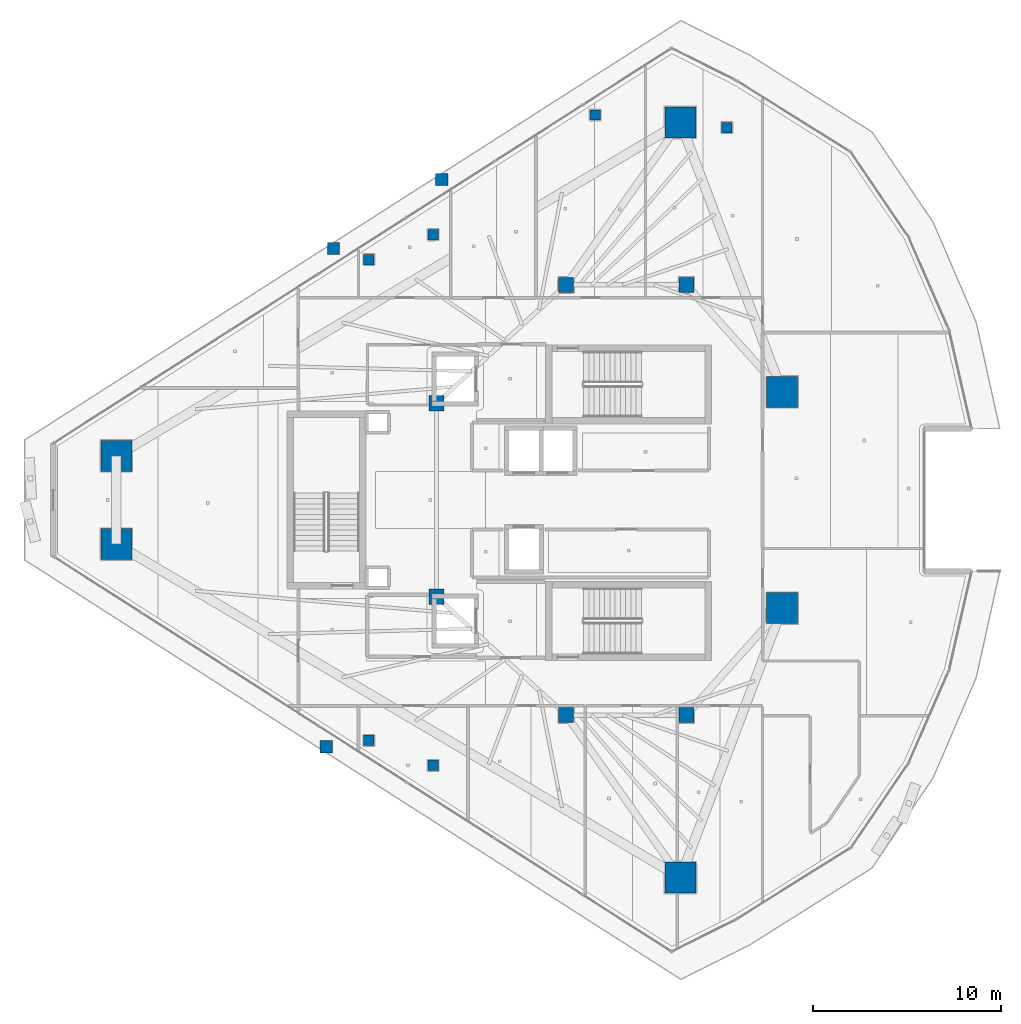
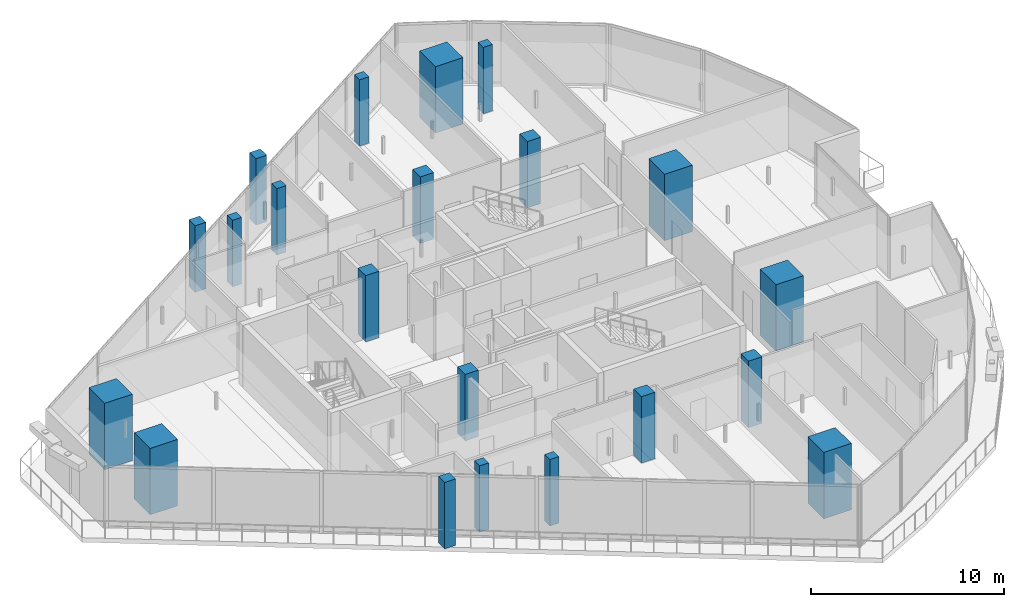
# One storey, part 1 of 36: 21 columns.
"""IFC4 building model written with IfcOpenShell, lengths in metres."""

from ifc_helpers import new_model, si_unit, direction, frame, origin, origin_2d, place, context, subcontext, project, spatial, rectangle, extrude, material, material_profile, profile_set, type_object, element, save


model = new_model("IFC4")

# Units and contexts
model_context = context("Model", 3, precision=1e-05, world=origin(), true_north=direction((0.0, 1.0)))
body_context = subcontext(model_context, "Body", "Model", "MODEL_VIEW")
ifc_project = project(units=[si_unit("LENGTHUNIT", "METRE"), si_unit("AREAUNIT", "SQUARE_METRE"), si_unit("VOLUMEUNIT", "CUBIC_METRE"), si_unit("PLANEANGLEUNIT", "RADIAN"), si_unit("MASSUNIT", "GRAM", prefix="KILO")], contexts=[model_context])

# Site, building, storey
site_placement = place(None, origin())
site = spatial("IfcSite", under=ifc_project, at=site_placement, CompositionType="ELEMENT")
building_placement = place(site_placement, origin())
building = spatial("IfcBuilding", under=site, at=building_placement, Name="Qorvath Tower", CompositionType="ELEMENT")
storey_placement = place(building_placement, frame((0.0, 0.0, 272.39990234375)))
storey = spatial("IfcBuildingStorey", under=building, at=storey_placement, Name="L63", CompositionType="ELEMENT", Elevation=272.39990234375)

# Columns
ifc_material_1 = material(Name="Concrete C60/75", Category="concrete")
ifc_material_profile_1 = material_profile(ifc_material_1, rectangle(XDim=1.64990234375, YDim=1.64990234375, at=origin_2d()), Name="MC 1650x1650")
ifc_profile_set_1 = profile_set([ifc_material_profile_1], Name="Concrete C60/75")
column_type_1 = type_object("IfcColumnType", Name="COL-MC5", PredefinedType="COLUMN", material=ifc_profile_set_1)
for number, where, z_axis, x_axis, name in (
    (1, (-47.53759765625, 2.349609375, 0.0), (0.0, 0.0, 1.0), (1.0, 0.0, 0.0), "Composite Mega-Column MC1 L63"),
    (2, (-47.53759765625, -2.349609375, 0.0), (0.0, 0.0, 1.0), (1.0, 0.0, 0.0), "Composite Mega-Column MC2 L63"),
    (3, (-17.515380859375, -20.1015625, 0.0), (0.0, 0.0, 1.0), (1.0, 0.0, 0.0), "Composite Mega-Column MC3 L63"),
    (4, (-12.0966796875, -5.7578125, 0.0), (0.0, 0.0, 1.0), (1.0, 0.0, 0.0), "Composite Mega-Column MC4 L63"),
    (5, (-12.0966796875, 5.7578125, 0.0), (0.0, 0.0, 1.0), (1.0, 0.0, 0.0), "Composite Mega-Column MC5 L63"),
    (6, (-17.515380859375, 20.1015625, 0.0), (0.0, 0.0, 1.0), (1.0, 0.0, 0.0), "Composite Mega-Column MC6 L63"),
):
    element("IfcColumn", number, at=place(storey_placement, frame(where, z_axis=z_axis, x_axis=x_axis)), inside=storey, type_object=column_type_1, Name=name, PredefinedType="COLUMN", context=body_context, shape_type="SweptSolid", body=[
        extrude(rectangle(XDim=1.64990234375, YDim=1.64990234375, at=origin_2d()), origin(), (0.0, 0.0, 1.0), 4.2001953125),
    ])
ifc_material_2 = material(Name="Concrete C50/60", Category="concrete")
ifc_material_profile_2 = material_profile(ifc_material_2, rectangle(XDim=0.800048828125, YDim=0.800048828125, at=origin_2d()), Name="RC 800x800")
ifc_profile_set_2 = profile_set([ifc_material_profile_2], Name="Concrete C50/60")
column_type_2 = type_object("IfcColumnType", Name="COL-RC4", PredefinedType="COLUMN", material=ifc_profile_set_2)
for number, where, z_axis, x_axis, name in (
    (7, (-23.60009765625, 11.449951171875, 0.0), (0.0, 0.0, 1.0), (1.0, 0.0, 0.0), "Core Spine Column CC1 L63"),
    (8, (-17.199951171875, 11.449951171875, 0.0), (0.0, 0.0, 1.0), (1.0, 0.0, 0.0), "Core Spine Column CC2 L63"),
    (9, (-17.199951171875, -11.449951171875, 0.0), (0.0, 0.0, 1.0), (1.0, 0.0, 0.0), "Core Spine Column CC3 L63"),
    (10, (-23.60009765625, -11.449951171875, 0.0), (0.0, 0.0, 1.0), (1.0, 0.0, 0.0), "Core Spine Column CC4 L63"),
    (11, (-30.5, 5.14990234375, 0.0), (0.0, 0.0, 1.0), (1.0, 0.0, 0.0), "Core Spine Column CC5 L63"),
    (12, (-30.5, -5.14990234375, 0.0), (0.0, 0.0, 1.0), (1.0, 0.0, 0.0), "Core Spine Column CC6 L63"),
):
    element("IfcColumn", number, at=place(storey_placement, frame(where, z_axis=z_axis, x_axis=x_axis)), inside=storey, type_object=column_type_2, Name=name, PredefinedType="COLUMN", context=body_context, shape_type="SweptSolid", body=[
        extrude(rectangle(XDim=0.800048828125, YDim=0.800048828125, at=origin_2d()), origin(), (0.0, 0.0, 1.0), 4.2001953125),
    ])
ifc_material_3 = material(Name="Concrete C45/55", Category="concrete")
ifc_material_profile_3 = material_profile(ifc_material_3, rectangle(XDim=0.64990234375, YDim=0.64990234375, at=origin_2d()), Name="RC 650x650")
ifc_profile_set_3 = profile_set([ifc_material_profile_3], Name="Concrete C45/55")
column_type_3 = type_object("IfcColumnType", Name="COL-RC6", PredefinedType="COLUMN", material=ifc_profile_set_3)
for number, where, z_axis, x_axis, name in (
    (13, (-35.980712890625, 13.380859375, 0.0), (0.0, 0.0, 1.0), (1.0, 0.0, 0.0), "Loggia Frame Pier Column LGF1 L63"),
    (14, (-36.36474609375, -13.135498046875, 0.0), (0.0, 0.0, 1.0), (1.0, 0.0, 0.0), "Loggia Frame Pier Column LGF2 L63"),
    (15, (-30.224853515625, 17.0595703125, 0.0), (0.0, 0.0, 1.0), (1.0, 0.0, 0.0), "Loggia Frame Pier Column LGF3 L63"),
):
    element("IfcColumn", number, at=place(storey_placement, frame(where, z_axis=z_axis, x_axis=x_axis)), inside=storey, type_object=column_type_3, Name=name, PredefinedType="COLUMN", context=body_context, shape_type="SweptSolid", body=[
        extrude(rectangle(XDim=0.64990234375, YDim=0.64990234375, at=origin_2d()), origin(), (0.0, 0.0, 1.0), 4.2001953125),
    ])
ifc_material_4 = material(Name="Concrete C45/55", Category="concrete")
ifc_material_profile_4 = material_profile(ifc_material_4, rectangle(XDim=0.550048828125, YDim=0.550048828125, at=origin_2d()), Name="RC 550x550")
ifc_profile_set_4 = profile_set([ifc_material_profile_4], Name="Concrete C45/55")
column_type_4 = type_object("IfcColumnType", Name="COL-RC7", PredefinedType="COLUMN", material=ifc_profile_set_4)
for number, where, z_axis, x_axis, name in (
    (16, (-34.104248046875, 12.79248046875, 0.0), (0.0, 0.0, 1.0), (1.0, 0.0, 0.0), "Loggia Frame Pier Column LGG1 L63"),
    (17, (-34.104248046875, -12.79248046875, 0.0), (0.0, 0.0, 1.0), (1.0, 0.0, 0.0), "Loggia Frame Pier Column LGG2 L63"),
    (18, (-22.05322265625, 20.494873046875, 0.0), (0.0, 0.0, 1.0), (1.0, 0.0, 0.0), "Loggia Frame Pier Column LGG3 L63"),
    (19, (-30.67724609375, 14.124267578125, 0.0), (0.0, 0.0, 1.0), (1.0, 0.0, 0.0), "Loggia Frame Pier Column LGH1 L63"),
    (20, (-30.67724609375, -14.124267578125, 0.0), (0.0, 0.0, 1.0), (1.0, 0.0, 0.0), "Loggia Frame Pier Column LGH2 L63"),
    (21, (-15.046142578125, 19.818115234375, 0.0), (0.0, 0.0, 1.0), (1.0, 0.0, 0.0), "Loggia Frame Pier Column LGH3 L63"),
):
    element("IfcColumn", number, at=place(storey_placement, frame(where, z_axis=z_axis, x_axis=x_axis)), inside=storey, type_object=column_type_4, Name=name, PredefinedType="COLUMN", context=body_context, shape_type="SweptSolid", body=[
        extrude(rectangle(XDim=0.550048828125, YDim=0.550048828125, at=origin_2d()), origin(), (0.0, 0.0, 1.0), 4.2001953125),
    ])

save(model, "model.ifc")
